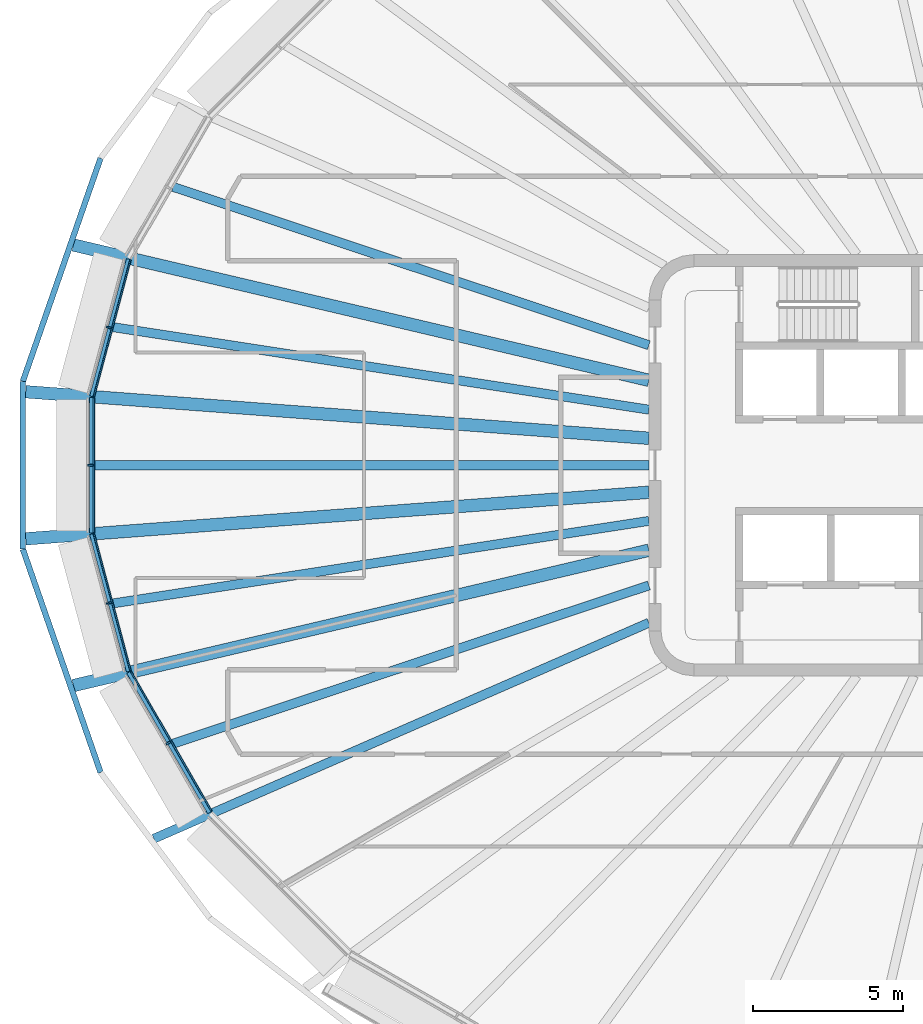
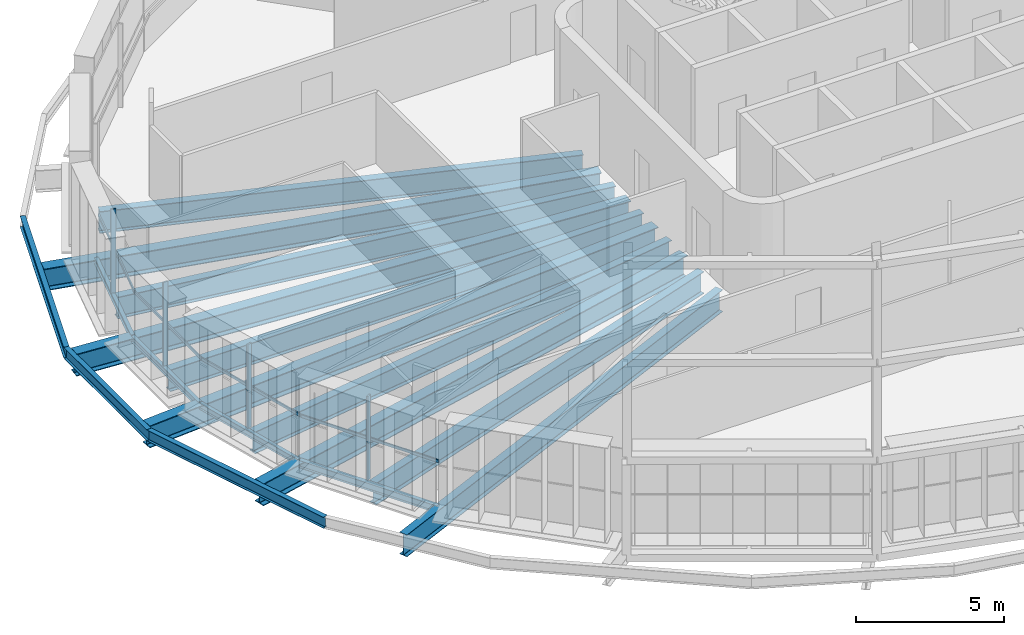
# One storey, part 2 of 20: 17 beams, 8 members, 4 elements without a shape of their own.
"""IFC4 building model written with IfcOpenShell, lengths in metres."""

from ifc_helpers import new_model, si_unit, direction, frame, origin, origin_2d, place, context, subcontext, project, spatial, rectangle, i_section, extrude, material, layer, layer_set, material_profile, profile_set, type_object, element, aggregate, save


model = new_model("IFC4")

# Units and contexts
model_context = context("Model", 3, precision=1e-05, world=origin(), true_north=direction((0.0, 1.0)))
body_context = subcontext(model_context, "Body", "Model", "MODEL_VIEW")
ifc_project = project(units=[si_unit("LENGTHUNIT", "METRE"), si_unit("AREAUNIT", "SQUARE_METRE"), si_unit("VOLUMEUNIT", "CUBIC_METRE"), si_unit("PLANEANGLEUNIT", "RADIAN"), si_unit("MASSUNIT", "GRAM", prefix="KILO")], contexts=[model_context])

# Site, building, storey
site_placement = place(None, origin())
site = spatial("IfcSite", under=ifc_project, at=site_placement, CompositionType="ELEMENT")
building_placement = place(site_placement, origin())
building = spatial("IfcBuilding", under=site, at=building_placement, Name="Sahrelin Media Tower", CompositionType="ELEMENT")
storey_placement = place(building_placement, frame((0.0, 0.0, 209.60009765625)))
storey = spatial("IfcBuildingStorey", under=building, at=storey_placement, Name="L44", CompositionType="ELEMENT", Elevation=209.60009765625)

# Beams
ifc_material_1 = material(Name="Steel S355", Category="steel")
ifc_material_profile_1 = material_profile(ifc_material_1, i_section(OverallWidth=0.14599609375, OverallDepth=0.25146484375, WebThickness=0.006103515625, FlangeThickness=0.008544921875, FilletRadius=0.007568359375, at=origin_2d()), Name="UB 254x146x31")
ifc_profile_set_1 = profile_set([ifc_material_profile_1], Name="Steel S355")
beam_type_1 = type_object("IfcBeamType", Name="Edge beam EB1", PredefinedType="BEAM", material=ifc_profile_set_1)
beam_1_placement = place(storey_placement, frame((-29.288818359375, -6.848876953125, -0.27587890625), z_axis=(-0.258807552286, 0.965928905707, 0.0), x_axis=(-0.965928905707, -0.258807552286, 0.0)))
element("IfcBeam", 1, at=beam_1_placement, inside=storey, type_object=beam_type_1, Name="Edge beam L44-12", PredefinedType="BEAM", context=body_context, shape_type="SweptSolid", body=[
    extrude(i_section(OverallWidth=0.14599609375, OverallDepth=0.25146484375, WebThickness=0.006103515625, FlangeThickness=0.008544921875, FilletRadius=0.007568359375, at=origin_2d()), origin(), (0.0, 0.0, 1.0), 4.72412109375),
])
beam_2_placement = place(storey_placement, frame((-30.515380859375, -2.257080078125, -0.27587890625), z_axis=(0.0, 1.0, 0.0), x_axis=(-1.0, 0.0, 0.0)))
element("IfcBeam", 2, at=beam_2_placement, inside=storey, type_object=beam_type_1, Name="Edge beam L44-13", PredefinedType="BEAM", context=body_context, shape_type="SweptSolid", body=[
    extrude(i_section(OverallWidth=0.14599609375, OverallDepth=0.25146484375, WebThickness=0.006103515625, FlangeThickness=0.008544921875, FilletRadius=0.007568359375, at=origin_2d()), origin(), (0.0, 0.0, 1.0), 4.51416015625),
])
beam_3_placement = place(storey_placement, frame((-30.511474609375, 2.28564453125, -0.27587890625), z_axis=(0.258807552286, 0.965928905707, 0.0), x_axis=(-0.965928905707, 0.258807552286, 0.0)))
element("IfcBeam", 3, at=beam_3_placement, inside=storey, type_object=beam_type_1, Name="Edge beam L44-14", PredefinedType="BEAM", context=body_context, shape_type="SweptSolid", body=[
    extrude(i_section(OverallWidth=0.14599609375, OverallDepth=0.25146484375, WebThickness=0.006103515625, FlangeThickness=0.008544921875, FilletRadius=0.007568359375, at=origin_2d()), origin(), (0.0, 0.0, 1.0), 4.72412109375),
])
ifc_material_profile_2 = material_profile(ifc_material_1, i_section(OverallWidth=0.1650390625, OverallDepth=0.303466796875, WebThickness=0.006103515625, FlangeThickness=0.01025390625, FilletRadius=0.0087890625, at=origin_2d()), Name="UB 305x165x40")
ifc_profile_set_2 = profile_set([ifc_material_profile_2], Name="Steel S355")
beam_type_2 = type_object("IfcBeamType", Name="Edge beam EB2", PredefinedType="BEAM", material=ifc_profile_set_2)
beam_4_placement = place(storey_placement, frame((-26.58544921875, -11.538818359375, -0.3017578125), z_axis=(-0.500001105423, 0.866024765567, 0.0), x_axis=(-0.866024765567, -0.500001105423, 0.0)))
element("IfcBeam", 4, at=beam_4_placement, inside=storey, type_object=beam_type_2, Name="Edge beam L44-11", PredefinedType="BEAM", context=body_context, shape_type="SweptSolid", body=[
    extrude(i_section(OverallWidth=0.1650390625, OverallDepth=0.303466796875, WebThickness=0.006103515625, FlangeThickness=0.01025390625, FilletRadius=0.0087890625, at=origin_2d()), origin(), (0.0, 0.0, 1.0), 5.384765625),
])

# Curtain wall, member
ifc_material_2 = material(Name="Champagne anodised aluminium 6063-T6", Category="aluminium")
ifc_layer = layer(ifc_material_2, 0.14990234375)
ifc_layer_set = layer_set([ifc_layer], Name="Tower ribbon curtain wall")
curtain_wall_type = type_object("IfcCurtainWallType", Name="Tower ribbon curtain wall", PredefinedType="NOTDEFINED", material=ifc_layer_set)
curtain_wall_1_placement = place(storey_placement, frame((-30.045166015625, 4.606201171875, 0.0), z_axis=(0.0, 0.0, 1.0), x_axis=(1.0, 0.0, 0.0)))
curtain_wall_1 = element("IfcCurtainWall", 5, at=curtain_wall_1_placement, inside=storey, type_object=curtain_wall_type, Name="L44:CW:L44-11", PredefinedType="NOTDEFINED")
ifc_material_profile_3 = material_profile(ifc_material_2, rectangle(XDim=0.06005859375, YDim=0.175048828125, at=origin_2d()), Name="Mullion 60x175")
ifc_profile_set_3 = profile_set([ifc_material_profile_3], Name="Champagne anodised aluminium 6063-T6")
member_type_1 = type_object("IfcMemberType", Name="Mullion 60x175 CW1B", PredefinedType="MULLION", material=ifc_profile_set_3)
member_1_placement = place(storey_placement, frame((-29.94140625, 4.578369140625, 0.0), z_axis=(0.0, 0.0, 1.0), x_axis=(-0.2588106158, -0.965928084875, 0.0)))
member_1 = element("IfcMember", 6, at=member_1_placement, type_object=member_type_1, Name="L44:CWM:L44-11", PredefinedType="MULLION", context=body_context, shape_type="SweptSolid", body=[
    extrude(rectangle(XDim=0.06005859375, YDim=0.175048828125, at=origin_2d()), origin(), (0.0, 0.0, 1.0), 3.448486328125),
])

curtain_wall_2_placement = place(storey_placement, frame((-30.665283203125, 0.0, 0.0), z_axis=(0.0, 0.0, 1.0), x_axis=(1.0, 0.0, 0.0)))
curtain_wall_2 = element("IfcCurtainWall", 7, at=curtain_wall_2_placement, inside=storey, type_object=curtain_wall_type, Name="L44:CW:L44-12", PredefinedType="NOTDEFINED")
member_2_placement = place(storey_placement, frame((-30.557861328125, 0.0, 0.0), z_axis=(0.0, 0.0, 1.0), x_axis=(0.0, -1.0, 0.0)))
member_2 = element("IfcMember", 8, at=member_2_placement, type_object=member_type_1, Name="L44:CWM:L44-12", PredefinedType="MULLION", context=body_context, shape_type="SweptSolid", body=[
    extrude(rectangle(XDim=0.06005859375, YDim=0.175048828125, at=origin_2d()), origin(), (0.0, 0.0, 1.0), 3.448486328125),
])

curtain_wall_3_placement = place(storey_placement, frame((-30.045166015625, -4.606201171875, 0.0), z_axis=(0.0, 0.0, 1.0), x_axis=(1.0, 0.0, 0.0)))
curtain_wall_3 = element("IfcCurtainWall", 9, at=curtain_wall_3_placement, inside=storey, type_object=curtain_wall_type, Name="L44:CW:L44-13", PredefinedType="NOTDEFINED")
member_3_placement = place(storey_placement, frame((-29.94140625, -4.578369140625, 0.0), z_axis=(0.0, 0.0, 1.0), x_axis=(0.2588106158, -0.965928084875, 0.0)))
member_3 = element("IfcMember", 10, at=member_3_placement, type_object=member_type_1, Name="L44:CWM:L44-13", PredefinedType="MULLION", context=body_context, shape_type="SweptSolid", body=[
    extrude(rectangle(XDim=0.06005859375, YDim=0.175048828125, at=origin_2d()), origin(), (0.0, 0.0, 1.0), 3.448486328125),
])

curtain_wall_4_placement = place(storey_placement, frame((-28.0615234375, -9.281982421875, 0.0), z_axis=(0.0, 0.0, 1.0), x_axis=(1.0, 0.0, 0.0)))
curtain_wall_4 = element("IfcCurtainWall", 11, at=curtain_wall_4_placement, inside=storey, type_object=curtain_wall_type, Name="L44:CW:L44-14", PredefinedType="NOTDEFINED")
member_4_placement = place(storey_placement, frame((-27.968505859375, -9.228271484375, 0.0), z_axis=(0.0, 0.0, 1.0), x_axis=(0.500001511499, -0.866024531118, 0.0)))
member_4 = element("IfcMember", 12, at=member_4_placement, type_object=member_type_1, Name="L44:CWM:L44-14", PredefinedType="MULLION", context=body_context, shape_type="SweptSolid", body=[
    extrude(rectangle(XDim=0.06005859375, YDim=0.175048828125, at=origin_2d()), origin(), (0.0, 0.0, 1.0), 3.448486328125),
])

# Beams
ifc_material_profile_4 = material_profile(ifc_material_1, i_section(OverallWidth=0.30322265625, OverallDepth=0.903076171875, WebThickness=0.01513671875, FlangeThickness=0.020263671875, FilletRadius=0.01904296875, at=origin_2d()), Name="UB 914x305x201")
ifc_profile_set_4 = profile_set([ifc_material_profile_4], Name="Steel S355")
beam_type_3 = type_object("IfcBeamType", Name="Radial primary beam PB11", PredefinedType="BEAM", material=ifc_profile_set_4)
beam_5_placement = place(storey_placement, frame((-12.0, -5.2333984375, -0.6015625), z_axis=(-0.91662503757, -0.399748096305, 0.0), x_axis=(0.399748096305, -0.91662503757, 0.0)))
element("IfcBeam", 13, at=beam_5_placement, inside=storey, type_object=beam_type_3, Name="Radial beam L44-15", PredefinedType="BEAM", context=body_context, shape_type="SweptSolid", body=[
    extrude(i_section(OverallWidth=0.30322265625, OverallDepth=0.903076171875, WebThickness=0.01513671875, FlangeThickness=0.020263671875, FilletRadius=0.01904296875, at=origin_2d()), origin(), (0.0, 0.0, 1.0), 17.946533203125),
])
ifc_material_profile_5 = material_profile(ifc_material_1, i_section(OverallWidth=0.41845703125, OverallDepth=0.911865234375, WebThickness=0.019287109375, FlangeThickness=0.031982421875, FilletRadius=0.024169921875, at=origin_2d()), Name="UB 914x419x343")
ifc_profile_set_5 = profile_set([ifc_material_profile_5], Name="Steel S355")
beam_type_4 = type_object("IfcBeamType", Name="Radial primary beam PB12", PredefinedType="BEAM", material=ifc_profile_set_5)
beam_6_placement = place(storey_placement, frame((-12.0, 2.822509765625, -0.60595703125), z_axis=(-0.973438188947, 0.228949977722, 0.0), x_axis=(-0.228949977722, -0.973438188947, 0.0)))
element("IfcBeam", 14, at=beam_6_placement, inside=storey, type_object=beam_type_4, Name="Radial beam L44-11", PredefinedType="BEAM", context=body_context, shape_type="SweptSolid", body=[
    extrude(i_section(OverallWidth=0.41845703125, OverallDepth=0.911865234375, WebThickness=0.019287109375, FlangeThickness=0.031982421875, FilletRadius=0.024169921875, at=origin_2d()), origin(), (0.0, 0.0, 1.0), 19.645263671875),
])
for number, where, z_axis, x_axis, name in (
    (15, (-12.0, 0.896728515625, -0.60595703125), (-0.997220359626, 0.074508753495, 0.0), (-0.074508753495, -0.997220359626, 0.0), "Radial beam L44-12"),
    (16, (-12.0, -0.896728515625, -0.60595703125), (-0.997220359626, -0.074508753495, 0.0), (0.074508753495, -0.997220359626, 0.0), "Radial beam L44-13"),
):
    element("IfcBeam", number, at=place(storey_placement, frame(where, z_axis=z_axis, x_axis=x_axis)), inside=storey, type_object=beam_type_4, Name=name, PredefinedType="BEAM", context=body_context, shape_type="SweptSolid", body=[
        extrude(i_section(OverallWidth=0.41845703125, OverallDepth=0.911865234375, WebThickness=0.019287109375, FlangeThickness=0.031982421875, FilletRadius=0.024169921875, at=origin_2d()), origin(), (0.0, 0.0, 1.0), 20.76416015625),
    ])
beam_7_placement = place(storey_placement, frame((-12.0, -2.822509765625, -0.60595703125), z_axis=(-0.973438188947, -0.228949977722, 0.0), x_axis=(0.228949977722, -0.973438188947, 0.0)))
element("IfcBeam", 17, at=beam_7_placement, inside=storey, type_object=beam_type_4, Name="Radial beam L44-14", PredefinedType="BEAM", context=body_context, shape_type="SweptSolid", body=[
    extrude(i_section(OverallWidth=0.41845703125, OverallDepth=0.911865234375, WebThickness=0.019287109375, FlangeThickness=0.031982421875, FilletRadius=0.024169921875, at=origin_2d()), origin(), (0.0, 0.0, 1.0), 19.645263671875),
])
ifc_material_profile_6 = material_profile(ifc_material_1, i_section(OverallWidth=0.30322265625, OverallDepth=0.903076171875, WebThickness=0.01513671875, FlangeThickness=0.020263671875, FilletRadius=0.01904296875, at=origin_2d()), Name="UB 914x305x201")
ifc_profile_set_6 = profile_set([ifc_material_profile_6], Name="Steel S355")
beam_type_5 = type_object("IfcBeamType", Name="Radial secondary beam SB11", PredefinedType="BEAM", material=ifc_profile_set_6)
beam_8_placement = place(storey_placement, frame((-12.0, 3.99169921875, -0.6015625), z_axis=(-0.948882374711, 0.315629908218, 0.0), x_axis=(-0.315629908218, -0.948882374711, 0.0)))
element("IfcBeam", 18, at=beam_8_placement, inside=storey, type_object=beam_type_5, Name="Secondary beam L44-10", PredefinedType="BEAM", context=body_context, shape_type="SweptSolid", body=[
    extrude(i_section(OverallWidth=0.30322265625, OverallDepth=0.903076171875, WebThickness=0.01513671875, FlangeThickness=0.020263671875, FilletRadius=0.01904296875, at=origin_2d()), origin(), (0.0, 0.0, 1.0), 16.662841796875),
])
beam_9_placement = place(storey_placement, frame((-12.0, 1.847900390625, -0.6015625), z_axis=(-0.988349612684, 0.152200667237, 0.0), x_axis=(-0.152200667237, -0.988349612684, 0.0)))
element("IfcBeam", 19, at=beam_9_placement, inside=storey, type_object=beam_type_5, Name="Secondary beam L44-11", PredefinedType="BEAM", context=body_context, shape_type="SweptSolid", body=[
    extrude(i_section(OverallWidth=0.30322265625, OverallDepth=0.903076171875, WebThickness=0.01513671875, FlangeThickness=0.020263671875, FilletRadius=0.01904296875, at=origin_2d()), origin(), (0.0, 0.0, 1.0), 18.028076171875),
])
beam_10_placement = place(storey_placement, frame((-12.0, 0.0, -0.6015625), z_axis=(-1.0, 0.0, 0.0), x_axis=(0.0, -1.0, 0.0)))
element("IfcBeam", 20, at=beam_10_placement, inside=storey, type_object=beam_type_5, Name="Secondary beam L44-12", PredefinedType="BEAM", context=body_context, shape_type="SweptSolid", body=[
    extrude(i_section(OverallWidth=0.30322265625, OverallDepth=0.903076171875, WebThickness=0.01513671875, FlangeThickness=0.020263671875, FilletRadius=0.01904296875, at=origin_2d()), origin(), (0.0, 0.0, 1.0), 18.4423828125),
])
beam_11_placement = place(storey_placement, frame((-12.0, -1.847900390625, -0.6015625), z_axis=(-0.988349612684, -0.152200667237, 0.0), x_axis=(0.152200667237, -0.988349612684, 0.0)))
element("IfcBeam", 21, at=beam_11_placement, inside=storey, type_object=beam_type_5, Name="Secondary beam L44-13", PredefinedType="BEAM", context=body_context, shape_type="SweptSolid", body=[
    extrude(i_section(OverallWidth=0.30322265625, OverallDepth=0.903076171875, WebThickness=0.01513671875, FlangeThickness=0.020263671875, FilletRadius=0.01904296875, at=origin_2d()), origin(), (0.0, 0.0, 1.0), 18.028076171875),
])
beam_12_placement = place(storey_placement, frame((-12.0, -3.99169921875, -0.6015625), z_axis=(-0.948882374711, -0.315629908218, 0.0), x_axis=(0.315629908218, -0.948882374711, 0.0)))
element("IfcBeam", 22, at=beam_12_placement, inside=storey, type_object=beam_type_5, Name="Secondary beam L44-14", PredefinedType="BEAM", context=body_context, shape_type="SweptSolid", body=[
    extrude(i_section(OverallWidth=0.30322265625, OverallDepth=0.903076171875, WebThickness=0.01513671875, FlangeThickness=0.020263671875, FilletRadius=0.01904296875, at=origin_2d()), origin(), (0.0, 0.0, 1.0), 16.662841796875),
])
ifc_material_profile_7 = material_profile(ifc_material_1, i_section(OverallWidth=0.1904296875, OverallDepth=0.45703125, WebThickness=0.009033203125, FlangeThickness=0.014404296875, FilletRadius=0.01025390625, at=origin_2d()), Name="UB 457x191x74")
ifc_profile_set_7 = profile_set([ifc_material_profile_7], Name="Steel S355")
beam_type_6 = type_object("IfcBeamType", Name="Tie chord TC5", PredefinedType="BEAM", material=ifc_profile_set_7)
beam_13_placement = place(storey_placement, frame((-30.21923828125, 10.207763671875, -0.378662109375), z_axis=(-0.328788244243, -0.944403669226, 0.0), x_axis=(0.944403669226, -0.328788244243, 0.0)))
element("IfcBeam", 23, at=beam_13_placement, inside=storey, type_object=beam_type_6, Name="Tie chord L44-11", PredefinedType="BEAM", context=body_context, shape_type="SweptSolid", body=[
    extrude(i_section(OverallWidth=0.1904296875, OverallDepth=0.45703125, WebThickness=0.009033203125, FlangeThickness=0.014404296875, FilletRadius=0.01025390625, at=origin_2d()), origin(), (0.0, 0.0, 1.0), 7.854736328125),
])
beam_14_placement = place(storey_placement, frame((-32.8017578125, 2.789794921875, -0.378662109375), z_axis=(0.0, -1.0, 0.0), x_axis=(1.0, 0.0, 0.0)))
element("IfcBeam", 24, at=beam_14_placement, inside=storey, type_object=beam_type_6, Name="Tie chord L44-12", PredefinedType="BEAM", context=body_context, shape_type="SweptSolid", body=[
    extrude(i_section(OverallWidth=0.1904296875, OverallDepth=0.45703125, WebThickness=0.009033203125, FlangeThickness=0.014404296875, FilletRadius=0.01025390625, at=origin_2d()), origin(), (0.0, 0.0, 1.0), 5.57958984375),
])
beam_15_placement = place(storey_placement, frame((-32.8017578125, -2.789794921875, -0.378662109375), z_axis=(0.328788244243, -0.944403669226, 0.0), x_axis=(0.944403669226, 0.328788244243, 0.0)))
element("IfcBeam", 25, at=beam_15_placement, inside=storey, type_object=beam_type_6, Name="Tie chord L44-13", PredefinedType="BEAM", context=body_context, shape_type="SweptSolid", body=[
    extrude(i_section(OverallWidth=0.1904296875, OverallDepth=0.45703125, WebThickness=0.009033203125, FlangeThickness=0.014404296875, FilletRadius=0.01025390625, at=origin_2d()), origin(), (0.0, 0.0, 1.0), 7.854736328125),
])

# Member
ifc_material_profile_8 = material_profile(ifc_material_2, rectangle(XDim=0.050048828125, YDim=0.110107421875, at=origin_2d()), Name="Transom 50x110")
ifc_profile_set_8 = profile_set([ifc_material_profile_8], Name="Champagne anodised aluminium 6063-T6")
member_type_2 = type_object("IfcMemberType", Name="Transom 50x110 CW1B", PredefinedType="USERDEFINED", material=ifc_profile_set_8)
member_5_placement = place(storey_placement, frame((-29.225341796875, 6.815673828125, 1.599853515625), z_axis=(-0.258818430801, -0.96592599089, 0.0), x_axis=(0.96592599089, -0.258818430801, 0.0)))
member_5 = element("IfcMember", 26, at=member_5_placement, type_object=member_type_2, Name="L44:CWT:L44-11", ObjectType="TRANSOM", PredefinedType="USERDEFINED", context=body_context, shape_type="SweptSolid", body=[
    extrude(rectangle(XDim=0.050048828125, YDim=0.110107421875, at=origin_2d()), origin(), (0.0, 0.0, 1.0), 4.69287109375),
])

aggregate(curtain_wall_1, [member_1, member_5])

member_6_placement = place(storey_placement, frame((-30.4453125, 2.241455078125, 1.599853515625), z_axis=(0.0, -1.0, 0.0), x_axis=(1.0, 0.0, 0.0)))
member_6 = element("IfcMember", 27, at=member_6_placement, type_object=member_type_2, Name="L44:CWT:L44-12", ObjectType="TRANSOM", PredefinedType="USERDEFINED", context=body_context, shape_type="SweptSolid", body=[
    extrude(rectangle(XDim=0.050048828125, YDim=0.110107421875, at=origin_2d()), origin(), (0.0, 0.0, 1.0), 4.48291015625),
])

aggregate(curtain_wall_2, [member_2, member_6])

member_7_placement = place(storey_placement, frame((-30.43994140625, -2.28271484375, 1.599853515625), z_axis=(0.258818430801, -0.96592599089, 0.0), x_axis=(0.96592599089, 0.258818430801, 0.0)))
member_7 = element("IfcMember", 28, at=member_7_placement, type_object=member_type_2, Name="L44:CWT:L44-13", ObjectType="TRANSOM", PredefinedType="USERDEFINED", context=body_context, shape_type="SweptSolid", body=[
    extrude(rectangle(XDim=0.050048828125, YDim=0.110107421875, at=origin_2d()), origin(), (0.0, 0.0, 1.0), 4.69287109375),
])

aggregate(curtain_wall_3, [member_3, member_7])

member_8_placement = place(storey_placement, frame((-29.20947265625, -6.85400390625, 1.599853515625), z_axis=(0.500023797175, -0.866011664043, 0.0), x_axis=(0.866011664043, 0.500023797175, 0.0)))
member_8 = element("IfcMember", 29, at=member_8_placement, type_object=member_type_2, Name="L44:CWT:L44-14", ObjectType="TRANSOM", PredefinedType="USERDEFINED", context=body_context, shape_type="SweptSolid", body=[
    extrude(rectangle(XDim=0.050048828125, YDim=0.110107421875, at=origin_2d()), origin(), (0.0, 0.0, 1.0), 5.353271484375),
])

aggregate(curtain_wall_4, [member_4, member_8])

save(model, "model.ifc")
